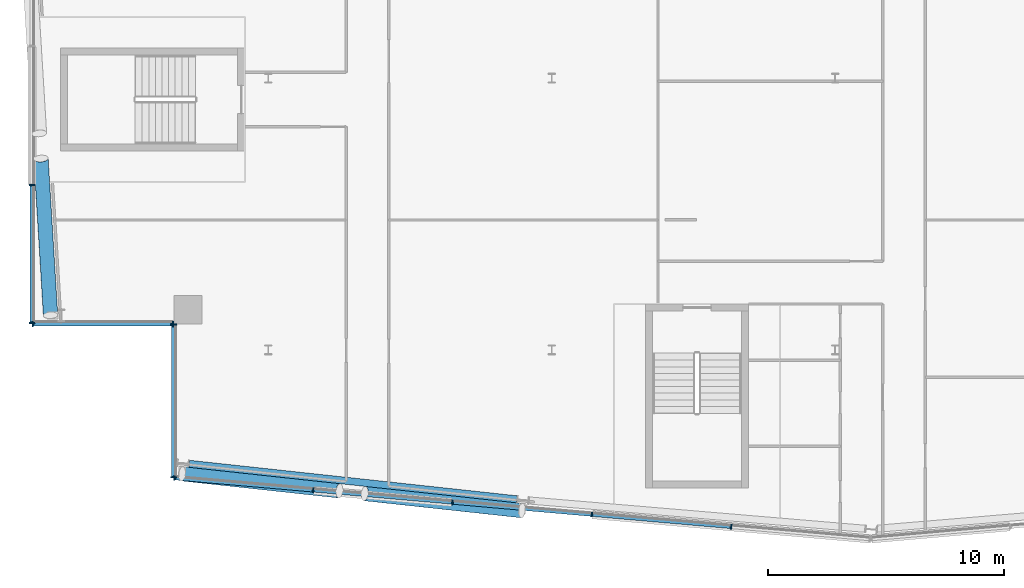
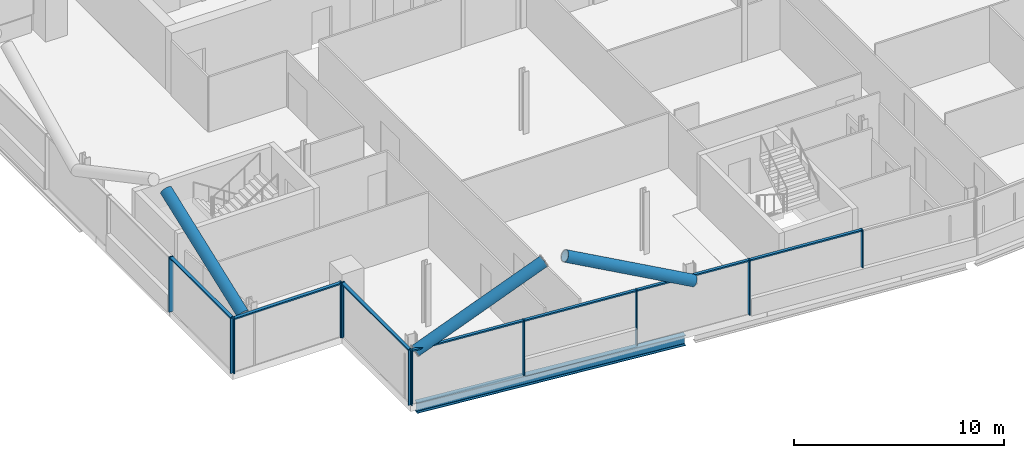
# One storey, part 5 of 28: 21 members, 1 beam, 4 elements without a shape of their own.
"""IFC4 building model written with IfcOpenShell, lengths in metres."""

from ifc_helpers import new_model, si_unit, direction, frame, origin, origin_2d, place, context, subcontext, project, spatial, rectangle, hollow_circle, i_section, extrude, material, material_profile, profile_set, type_object, element, aggregate, save


model = new_model("IFC4")

# Units and contexts
model_context = context("Model", 3, precision=1e-05, world=origin(), true_north=direction((0.0, 1.0)))
body_context = subcontext(model_context, "Body", "Model", "MODEL_VIEW")
ifc_project = project(units=[si_unit("LENGTHUNIT", "METRE"), si_unit("AREAUNIT", "SQUARE_METRE"), si_unit("VOLUMEUNIT", "CUBIC_METRE"), si_unit("PLANEANGLEUNIT", "RADIAN"), si_unit("MASSUNIT", "GRAM", prefix="KILO")], contexts=[model_context])

# Site, building, storey
site_placement = place(None, origin())
site = spatial("IfcSite", under=ifc_project, at=site_placement, CompositionType="ELEMENT")
building_placement = place(site_placement, origin())
building = spatial("IfcBuilding", under=site, at=building_placement, Name="Wharfspan Tower", CompositionType="ELEMENT")
storey_placement = place(building_placement, frame((0.0, 0.0, 250.300049)))
storey = spatial("IfcBuildingStorey", under=building, at=storey_placement, Name="L63", CompositionType="ELEMENT", Elevation=250.300049)

# Beam
ifc_material_1 = material(Name="Steel S355J2", Category="steel")
ifc_material_profile_1 = material_profile(ifc_material_1, i_section(OverallWidth=0.300049, OverallDepth=0.600098, WebThickness=0.015381, FlangeThickness=0.030029, FilletRadius=0.0271, at=origin_2d()))
ifc_profile_set_1 = profile_set([ifc_material_profile_1], Name="Steel S355J2")
beam_type = type_object("IfcBeamType", Name="Edge beam HEB 600", PredefinedType="SPANDREL", material=ifc_profile_set_1)
beam_placement = place(storey_placement, frame((20.648682, 6.674805, -0.699951), z_axis=(0.99418, -0.107732, 0.0), x_axis=(0.107732, 0.99418, 0.0)))
element("IfcBeam", 1, at=beam_placement, inside=storey, type_object=beam_type, Name="Edge beam S1 L63 PS1.1 to PS1.2", PredefinedType="SPANDREL", context=body_context, shape_type="SweptSolid", body=[
    extrude(i_section(OverallWidth=0.300049, OverallDepth=0.600098, WebThickness=0.015381, FlangeThickness=0.030029, FilletRadius=0.0271, at=origin_2d()), origin(), (0.0, 0.0, 1.0), 13.95752),
])

# Curtain wall, members
ifc_material_2 = material(Name="Aluminium 6063-T6", Category="aluminium")
curtain_wall_type_1 = type_object("IfcCurtainWallType", Name="CURTAIN WALL FACETED FRONT", PredefinedType="NOTDEFINED", material=ifc_material_2)
curtain_wall_1_placement = place(storey_placement, origin())
curtain_wall_1 = element("IfcCurtainWall", 2, at=curtain_wall_1_placement, inside=storey, type_object=curtain_wall_type_1, Name="Curtain wall S1", PredefinedType="NOTDEFINED")
ifc_material_profile_2 = material_profile(ifc_material_2, rectangle(XDim=0.199951, YDim=0.060059, at=origin_2d()))
ifc_profile_set_2 = profile_set([ifc_material_profile_2], Name="Aluminium 6063-T6")
member_type_1 = type_object("IfcMemberType", Name="MULLION FACETED FRONT 60x200", PredefinedType="MULLION", material=ifc_profile_set_2)
member_1_placement = place(storey_placement, frame((20.029785, 6.07251, 0.0), z_axis=(0.0, 0.0, 1.0), x_axis=(0.087156, 0.996197, 0.0)))
member_1 = element("IfcMember", 3, at=member_1_placement, type_object=member_type_1, Name="Curtain wall S1 mullion 1", PredefinedType="MULLION", context=body_context, shape_type="SweptSolid", body=[
    extrude(rectangle(XDim=0.199951, YDim=0.060059, at=origin_2d()), origin(), (0.0, 0.0, 1.0), 3.199951),
])
member_2_placement = place(storey_placement, frame((25.899902, 5.558838, 0.0), z_axis=(0.0, 0.0, 1.0), x_axis=(0.087156, 0.996197, 0.0)))
member_2 = element("IfcMember", 4, at=member_2_placement, type_object=member_type_1, Name="Curtain wall S1 mullion 2", PredefinedType="MULLION", context=body_context, shape_type="SweptSolid", body=[
    extrude(rectangle(XDim=0.199951, YDim=0.060059, at=origin_2d()), origin(), (0.0, 0.0, 1.0), 3.199951),
])
member_3_placement = place(storey_placement, frame((31.800049, 5.042725, 0.0), z_axis=(0.0, 0.0, 1.0), x_axis=(0.087156, 0.996197, 0.0)))
member_3 = element("IfcMember", 5, at=member_3_placement, type_object=member_type_1, Name="Curtain wall S1 mullion 3", PredefinedType="MULLION", context=body_context, shape_type="SweptSolid", body=[
    extrude(rectangle(XDim=0.199951, YDim=0.060059, at=origin_2d()), origin(), (0.0, 0.0, 1.0), 3.199951),
])
member_4_placement = place(storey_placement, frame((37.699951, 4.526611, 0.0), z_axis=(0.0, 0.0, 1.0), x_axis=(0.087156, 0.996197, 0.0)))
member_4 = element("IfcMember", 6, at=member_4_placement, type_object=member_type_1, Name="Curtain wall S1 mullion 4", PredefinedType="MULLION", context=body_context, shape_type="SweptSolid", body=[
    extrude(rectangle(XDim=0.199951, YDim=0.060059, at=origin_2d()), origin(), (0.0, 0.0, 1.0), 3.199951),
])
member_5_placement = place(storey_placement, frame((43.600098, 4.010254, 1.0), z_axis=(0.0, 0.0, 1.0), x_axis=(0.087156, 0.996197, 0.0)))
member_5 = element("IfcMember", 7, at=member_5_placement, type_object=member_type_1, Name="Curtain wall S1 mullion 5", PredefinedType="MULLION", context=body_context, shape_type="SweptSolid", body=[
    extrude(rectangle(XDim=0.199951, YDim=0.060059, at=origin_2d()), origin(), (0.0, 0.0, 1.0), 2.199951),
])

curtain_wall_type_2 = type_object("IfcCurtainWallType", Name="CURTAIN WALL PROW AND END", PredefinedType="NOTDEFINED", material=ifc_material_2)
curtain_wall_2_placement = place(storey_placement, origin())
curtain_wall_2 = element("IfcCurtainWall", 8, at=curtain_wall_2_placement, inside=storey, type_object=curtain_wall_type_2, Name="Curtain wall W", PredefinedType="NOTDEFINED")
ifc_material_profile_3 = material_profile(ifc_material_2, rectangle(XDim=0.23999, YDim=0.060059, at=origin_2d()))
ifc_profile_set_3 = profile_set([ifc_material_profile_3], Name="Aluminium 6063-T6")
member_type_2 = type_object("IfcMemberType", Name="MULLION PROW AND END 60x240", PredefinedType="MULLION", material=ifc_profile_set_3)
member_6_placement = place(storey_placement, frame((14.0, 18.47998, 0.0), z_axis=(0.0, 0.0, 1.0), x_axis=(1.0, 0.0, 0.0)))
member_6 = element("IfcMember", 9, at=member_6_placement, type_object=member_type_2, Name="Curtain wall W mullion 5", PredefinedType="MULLION", context=body_context, shape_type="SweptSolid", body=[
    extrude(rectangle(XDim=0.23999, YDim=0.060059, at=origin_2d()), origin(), (0.0, 0.0, 1.0), 3.199951),
])
member_7_placement = place(storey_placement, frame((14.0, 12.629883, 0.0), z_axis=(0.0, 0.0, 1.0), x_axis=(1.0, 0.0, 0.0)))
member_7 = element("IfcMember", 10, at=member_7_placement, type_object=member_type_2, Name="Curtain wall W mullion 6", PredefinedType="MULLION", context=body_context, shape_type="SweptSolid", body=[
    extrude(rectangle(XDim=0.23999, YDim=0.060059, at=origin_2d()), origin(), (0.0, 0.0, 1.0), 3.199951),
])

curtain_wall_3_placement = place(storey_placement, origin())
curtain_wall_3 = element("IfcCurtainWall", 11, at=curtain_wall_3_placement, inside=storey, type_object=curtain_wall_type_2, Name="Curtain wall NFW-H", PredefinedType="NOTDEFINED")
member_8_placement = place(storey_placement, frame((14.030029, 12.600098, 0.0), z_axis=(0.0, 0.0, 1.0), x_axis=(0.0, 1.0, 0.0)))
member_8 = element("IfcMember", 12, at=member_8_placement, type_object=member_type_2, Name="Curtain wall NFW-H mullion 1", PredefinedType="MULLION", context=body_context, shape_type="SweptSolid", body=[
    extrude(rectangle(XDim=0.23999, YDim=0.060059, at=origin_2d()), origin(), (0.0, 0.0, 1.0), 3.199951),
])
member_9_placement = place(storey_placement, frame((19.969971, 12.600098, 0.0), z_axis=(0.0, 0.0, 1.0), x_axis=(0.0, 1.0, 0.0)))
member_9 = element("IfcMember", 13, at=member_9_placement, type_object=member_type_2, Name="Curtain wall NFW-H mullion 2", PredefinedType="MULLION", context=body_context, shape_type="SweptSolid", body=[
    extrude(rectangle(XDim=0.23999, YDim=0.060059, at=origin_2d()), origin(), (0.0, 0.0, 1.0), 3.199951),
])

curtain_wall_4_placement = place(storey_placement, origin())
curtain_wall_4 = element("IfcCurtainWall", 14, at=curtain_wall_4_placement, inside=storey, type_object=curtain_wall_type_2, Name="Curtain wall NFW-V", PredefinedType="NOTDEFINED")
member_10_placement = place(storey_placement, frame((20.0, 12.570068, 0.0), z_axis=(0.0, 0.0, 1.0), x_axis=(1.0, 0.0, 0.0)))
member_10 = element("IfcMember", 15, at=member_10_placement, type_object=member_type_2, Name="Curtain wall NFW-V mullion 1", PredefinedType="MULLION", context=body_context, shape_type="SweptSolid", body=[
    extrude(rectangle(XDim=0.23999, YDim=0.060059, at=origin_2d()), origin(), (0.0, 0.0, 1.0), 3.199951),
])
member_11_placement = place(storey_placement, frame((20.0, 6.10498, 0.0), z_axis=(0.0, 0.0, 1.0), x_axis=(1.0, 0.0, 0.0)))
member_11 = element("IfcMember", 16, at=member_11_placement, type_object=member_type_2, Name="Curtain wall NFW-V mullion 2", PredefinedType="MULLION", context=body_context, shape_type="SweptSolid", body=[
    extrude(rectangle(XDim=0.23999, YDim=0.060059, at=origin_2d()), origin(), (0.0, 0.0, 1.0), 3.199951),
])

# Members
ifc_material_3 = material(Name="Steel S460NH", Category="steel")
ifc_material_profile_4 = material_profile(ifc_material_3, hollow_circle(Radius=0.304932, WallThickness=0.024902, at=origin_2d()))
ifc_profile_set_4 = profile_set([ifc_material_profile_4], Name="Steel S460NH")
member_type_3 = type_object("IfcMemberType", Name="Mega brace CHS 610x25", PredefinedType="BRACE", material=ifc_profile_set_4)
for number, where, z_axis, x_axis, name in (
    (17, (20.352539, 6.249268, 2.899902), (0.890126, -0.09646, 0.445389), (0.107737, 0.99418, -2e-06), "Mega brace S1 L64 part 1"),
    (18, (34.741699, 4.689941, 2.899902), (-0.890126, 0.09646, 0.445389), (-0.107737, -0.99418, -2e-06), "Mega brace S1 L64 part 3"),
):
    element("IfcMember", number, at=place(storey_placement, frame(where, z_axis=z_axis, x_axis=x_axis)), inside=storey, type_object=member_type_3, Name=name, PredefinedType="BRACE", context=body_context, shape_type="SweptSolid", body=[
        extrude(hollow_circle(Radius=0.304932, WallThickness=0.024902, at=origin_2d()), origin(), (0.0, 0.0, 1.0), 7.474121),
    ])
member_12_placement = place(storey_placement, frame((14.782715, 12.963379, 2.899902), z_axis=(-0.054615, 0.892302, 0.448123), x_axis=(-0.998132, -0.061091, -3e-06)))
element("IfcMember", 19, at=member_12_placement, inside=storey, type_object=member_type_3, Name="Mega brace W4 L64 part 3", PredefinedType="BRACE", context=body_context, shape_type="SweptSolid", body=[
    extrude(hollow_circle(Radius=0.304932, WallThickness=0.024902, at=origin_2d()), origin(), (0.0, 0.0, 1.0), 7.429443),
])

# Member
ifc_material_profile_5 = material_profile(ifc_material_2, rectangle(XDim=0.159912, YDim=0.080078, at=origin_2d()))
ifc_profile_set_5 = profile_set([ifc_material_profile_5], Name="Aluminium 6063-T6")
member_type_4 = type_object("IfcMemberType", Name="TRANSOM FACETED FRONT 80x160", PredefinedType="USERDEFINED", material=ifc_profile_set_5)
member_13_placement = place(storey_placement, frame((20.059814, 6.069824, 3.159912), z_axis=(0.996195, -0.08715, 0.0), x_axis=(0.08715, 0.996195, 0.0)))
member_13 = element("IfcMember", 20, at=member_13_placement, type_object=member_type_4, Name="Curtain wall S1 transom 1", ObjectType="TRANSOM", PredefinedType="USERDEFINED", context=body_context, shape_type="SweptSolid", body=[
    extrude(rectangle(XDim=0.159912, YDim=0.080078, at=origin_2d()), origin(), (0.0, 0.0, 1.0), 5.83252),
])

member_14_placement = place(storey_placement, frame((25.929932, 5.556152, 3.159912), z_axis=(0.996198, -0.087122, 0.0), x_axis=(0.087122, 0.996198, 0.0)))
member_14 = element("IfcMember", 21, at=member_14_placement, type_object=member_type_4, Name="Curtain wall S1 transom 2", ObjectType="TRANSOM", PredefinedType="USERDEFINED", context=body_context, shape_type="SweptSolid", body=[
    extrude(rectangle(XDim=0.159912, YDim=0.080078, at=origin_2d()), origin(), (0.0, 0.0, 1.0), 5.862305),
])

member_15_placement = place(storey_placement, frame((31.829834, 5.040039, 3.159912), z_axis=(0.996194, -0.08716, 0.0), x_axis=(0.08716, 0.996194, 0.0)))
member_15 = element("IfcMember", 22, at=member_15_placement, type_object=member_type_4, Name="Curtain wall S1 transom 3", ObjectType="TRANSOM", PredefinedType="USERDEFINED", context=body_context, shape_type="SweptSolid", body=[
    extrude(rectangle(XDim=0.159912, YDim=0.080078, at=origin_2d()), origin(), (0.0, 0.0, 1.0), 5.862549),
])

member_16_placement = place(storey_placement, frame((37.72998, 4.523926, 3.159912), z_axis=(0.996194, -0.087163, 0.0), x_axis=(0.087163, 0.996194, 0.0)))
member_16 = element("IfcMember", 23, at=member_16_placement, type_object=member_type_4, Name="Curtain wall S1 transom 4", ObjectType="TRANSOM", PredefinedType="USERDEFINED", context=body_context, shape_type="SweptSolid", body=[
    extrude(rectangle(XDim=0.159912, YDim=0.080078, at=origin_2d()), origin(), (0.0, 0.0, 1.0), 5.862305),
])

aggregate(curtain_wall_1, [member_1, member_2, member_3, member_4, member_5, member_13, member_14, member_15, member_16])

ifc_material_profile_6 = material_profile(ifc_material_2, rectangle(XDim=0.179932, YDim=0.080078, at=origin_2d()))
ifc_profile_set_6 = profile_set([ifc_material_profile_6], Name="Aluminium 6063-T6")
member_type_5 = type_object("IfcMemberType", Name="TRANSOM PROW AND END 80x180", PredefinedType="USERDEFINED", material=ifc_profile_set_6)
member_17_placement = place(storey_placement, frame((14.0, 18.449951, 3.159912), z_axis=(0.0, -1.0, 0.0), x_axis=(1.0, 0.0, 0.0)))
member_17 = element("IfcMember", 24, at=member_17_placement, type_object=member_type_5, Name="Curtain wall W transom 5", ObjectType="TRANSOM", PredefinedType="USERDEFINED", context=body_context, shape_type="SweptSolid", body=[
    extrude(rectangle(XDim=0.179932, YDim=0.080078, at=origin_2d()), origin(), (0.0, 0.0, 1.0), 5.790039),
])

aggregate(curtain_wall_2, [member_6, member_7, member_17])

member_18_placement = place(storey_placement, frame((14.060059, 12.600098, 3.159912), z_axis=(1.0, 0.0, 0.0), x_axis=(0.0, 1.0, 0.0)))
member_18 = element("IfcMember", 25, at=member_18_placement, type_object=member_type_5, Name="Curtain wall NFW-H transom 1", ObjectType="TRANSOM", PredefinedType="USERDEFINED", context=body_context, shape_type="SweptSolid", body=[
    extrude(rectangle(XDim=0.179932, YDim=0.080078, at=origin_2d()), origin(), (0.0, 0.0, 1.0), 5.879883),
])

aggregate(curtain_wall_3, [member_8, member_9, member_18])

member_19_placement = place(storey_placement, frame((20.0, 12.540039, 3.159912), z_axis=(0.0, -1.0, 0.0), x_axis=(1.0, 0.0, 0.0)))
member_19 = element("IfcMember", 26, at=member_19_placement, type_object=member_type_5, Name="Curtain wall NFW-V transom 1", ObjectType="TRANSOM", PredefinedType="USERDEFINED", context=body_context, shape_type="SweptSolid", body=[
    extrude(rectangle(XDim=0.179932, YDim=0.080078, at=origin_2d()), origin(), (0.0, 0.0, 1.0), 6.405029),
])

aggregate(curtain_wall_4, [member_10, member_11, member_19])

save(model, "model.ifc")
